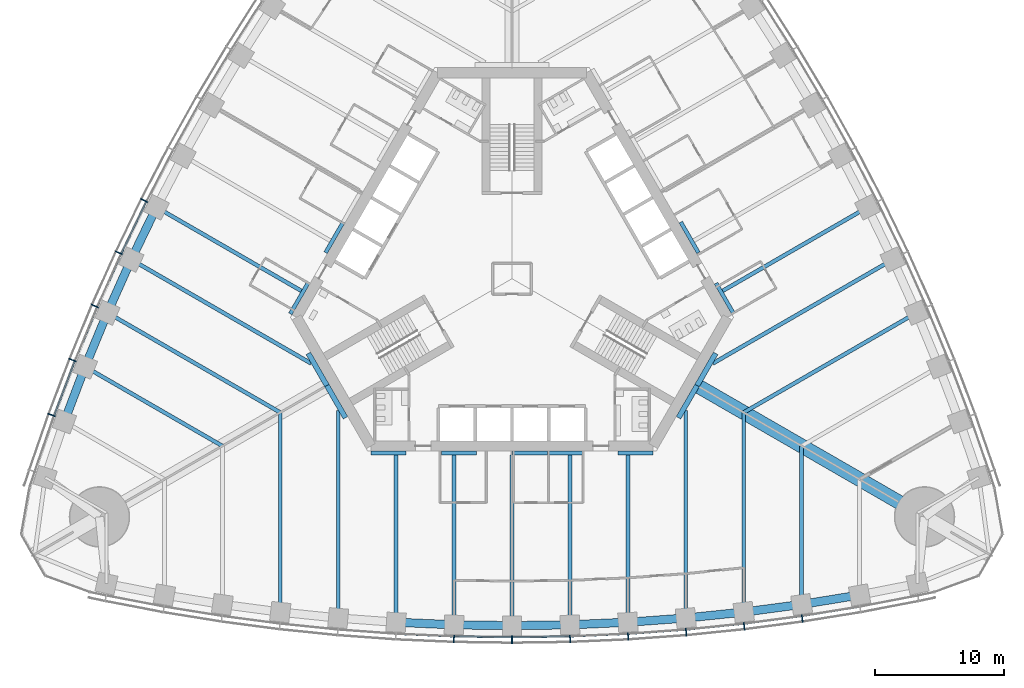
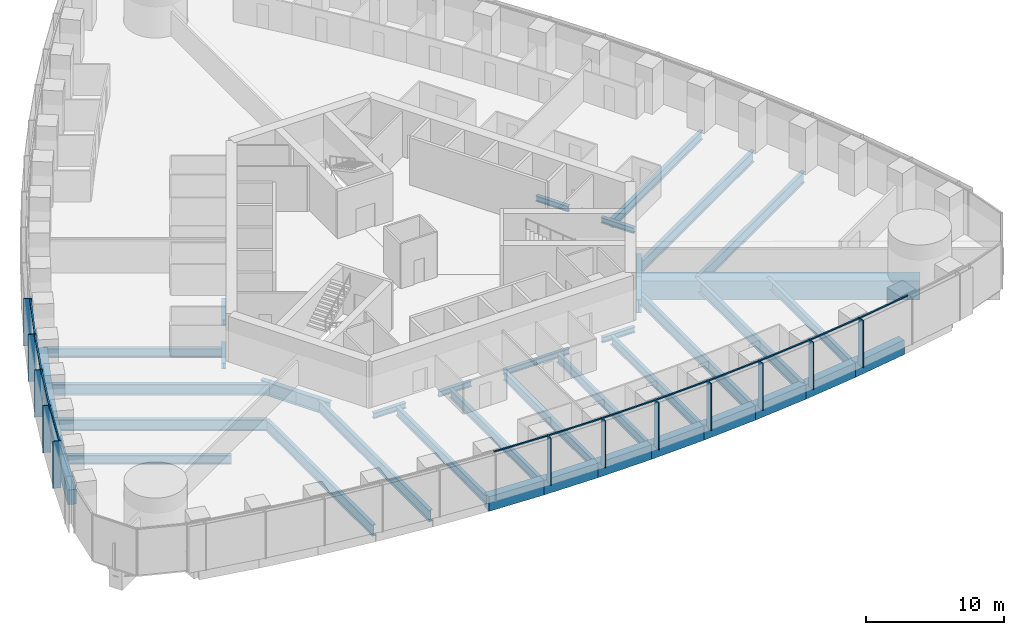
# One storey, part 3 of 18: 43 beams, 24 members, 2 elements without a shape of their own.
"""IFC4 building model written with IfcOpenShell, lengths in metres."""

from ifc_helpers import new_model, si_unit, direction, frame, origin, origin_2d, place, context, subcontext, project, spatial, rectangle, i_section, extrude, material, material_profile, profile_set, type_object, element, aggregate, save


model = new_model("IFC4")

# Units and contexts
model_context = context("Model", 3, precision=1e-05, world=origin(), true_north=direction((0.0, 1.0)))
body_context = subcontext(model_context, "Body", "Model", "MODEL_VIEW")
ifc_project = project(units=[si_unit("LENGTHUNIT", "METRE"), si_unit("AREAUNIT", "SQUARE_METRE"), si_unit("VOLUMEUNIT", "CUBIC_METRE"), si_unit("PLANEANGLEUNIT", "RADIAN"), si_unit("MASSUNIT", "GRAM", prefix="KILO")], contexts=[model_context])

# Site, building, storey
site_placement = place(None, origin())
site = spatial("IfcSite", under=ifc_project, at=site_placement, CompositionType="ELEMENT")
building_placement = place(site_placement, origin())
building = spatial("IfcBuilding", under=site, at=building_placement, Name="Trefoil Bronze Tower", CompositionType="ELEMENT")
storey_placement = place(building_placement, frame((0.0, 0.0, 37.5)))
storey = spatial("IfcBuildingStorey", under=building, at=storey_placement, Name="L08", CompositionType="ELEMENT", Elevation=37.5)

# Curtain wall, members
ifc_material_1 = material(Name="Tinted solar-control glass", Category="glass")
curtain_wall_type = type_object("IfcCurtainWallType", Name="Bronze office curtain wall", PredefinedType="USERDEFINED", material=ifc_material_1)
curtain_wall_1_placement = place(storey_placement, origin())
curtain_wall_1 = element("IfcCurtainWall", 1, at=curtain_wall_1_placement, inside=storey, type_object=curtain_wall_type, Name="CW-A L08 F1", ObjectType="CURTAIN WALL", PredefinedType="USERDEFINED")
ifc_material_2 = material(Name="Bronze-finish aluminium", Category="aluminium")
ifc_material_profile_1 = material_profile(ifc_material_2, rectangle(XDim=0.60009765625, YDim=0.080078125, at=origin_2d()), Name="CW-A mullion")
ifc_profile_set_1 = profile_set([ifc_material_profile_1], Name="Bronze-finish aluminium")
member_type_1 = type_object("IfcMemberType", Name="Bronze office curtain wall mullion", PredefinedType="MULLION", material=ifc_profile_set_1)
member_1_placement = place(storey_placement, frame((-4.5087890625, -27.9833984375, 0.0), z_axis=(0.0, 0.0, 1.0), x_axis=(0.029021671584, 0.999578782577, 0.0)))
member_1 = element("IfcMember", 2, at=member_1_placement, type_object=member_type_1, Name="CW-A L08 F1 mullion 8", PredefinedType="MULLION", context=body_context, shape_type="SweptSolid", body=[
    extrude(rectangle(XDim=0.60009765625, YDim=0.080078125, at=origin_2d()), origin(), (0.0, 0.0, 1.0), 4.179931640625),
])
member_2_placement = place(storey_placement, frame((0.0, -28.048828125, 0.0), z_axis=(0.0, 0.0, 1.0), x_axis=(0.0, 1.0, 0.0)))
member_2 = element("IfcMember", 3, at=member_2_placement, type_object=member_type_1, Name="CW-A L08 F1 mullion 9", PredefinedType="MULLION", context=body_context, shape_type="SweptSolid", body=[
    extrude(rectangle(XDim=0.60009765625, YDim=0.080078125, at=origin_2d()), origin(), (0.0, 0.0, 1.0), 4.179931640625),
])
member_3_placement = place(storey_placement, frame((4.5087890625, -27.9833984375, 0.0), z_axis=(0.0, 0.0, 1.0), x_axis=(-0.029021671584, 0.999578782577, 0.0)))
member_3 = element("IfcMember", 4, at=member_3_placement, type_object=member_type_1, Name="CW-A L08 F1 mullion 10", PredefinedType="MULLION", context=body_context, shape_type="SweptSolid", body=[
    extrude(rectangle(XDim=0.60009765625, YDim=0.080078125, at=origin_2d()), origin(), (0.0, 0.0, 1.0), 4.179931640625),
])
member_4_placement = place(storey_placement, frame((9.017333984375, -27.786865234375, 0.0), z_axis=(0.0, 0.0, 1.0), x_axis=(-0.058043374207, 0.998314062162, 0.0)))
member_4 = element("IfcMember", 5, at=member_4_placement, type_object=member_type_1, Name="CW-A L08 F1 mullion 11", PredefinedType="MULLION", context=body_context, shape_type="SweptSolid", body=[
    extrude(rectangle(XDim=0.60009765625, YDim=0.080078125, at=origin_2d()), origin(), (0.0, 0.0, 1.0), 4.179931640625),
])
member_5_placement = place(storey_placement, frame((13.526123046875, -27.458984375, 0.0), z_axis=(0.0, 0.0, 1.0), x_axis=(-0.087065139456, 0.996202620701, 0.0)))
member_5 = element("IfcMember", 6, at=member_5_placement, type_object=member_type_1, Name="CW-A L08 F1 mullion 12", PredefinedType="MULLION", context=body_context, shape_type="SweptSolid", body=[
    extrude(rectangle(XDim=0.60009765625, YDim=0.080078125, at=origin_2d()), origin(), (0.0, 0.0, 1.0), 4.179931640625),
])
member_6_placement = place(storey_placement, frame((18.034912109375, -26.99853515625, 0.0), z_axis=(0.0, 0.0, 1.0), x_axis=(-0.116086999973, 0.993239048989, 0.0)))
member_6 = element("IfcMember", 7, at=member_6_placement, type_object=member_type_1, Name="CW-A L08 F1 mullion 13", PredefinedType="MULLION", context=body_context, shape_type="SweptSolid", body=[
    extrude(rectangle(XDim=0.60009765625, YDim=0.080078125, at=origin_2d()), origin(), (0.0, 0.0, 1.0), 4.179931640625),
])
member_7_placement = place(storey_placement, frame((22.54345703125, -26.40478515625, 0.0), z_axis=(0.0, 0.0, 1.0), x_axis=(-0.145108990094, 0.989415676546, 0.0)))
member_7 = element("IfcMember", 8, at=member_7_placement, type_object=member_type_1, Name="CW-A L08 F1 mullion 14", PredefinedType="MULLION", context=body_context, shape_type="SweptSolid", body=[
    extrude(rectangle(XDim=0.60009765625, YDim=0.080078125, at=origin_2d()), origin(), (0.0, 0.0, 1.0), 4.179931640625),
])

curtain_wall_2_placement = place(storey_placement, origin())
curtain_wall_2 = element("IfcCurtainWall", 9, at=curtain_wall_2_placement, inside=storey, type_object=curtain_wall_type, Name="CW-A L08 F3", ObjectType="CURTAIN WALL", PredefinedType="USERDEFINED")
member_8_placement = place(storey_placement, frame((-28.57275390625, 6.084228515625, 0.0), z_axis=(0.0, 0.0, 1.0), x_axis=(0.893587025891, -0.448889994497, 0.0)))
member_8 = element("IfcMember", 10, at=member_8_placement, type_object=member_type_1, Name="CW-A L08 F3 mullion 11", PredefinedType="MULLION", context=body_context, shape_type="SweptSolid", body=[
    extrude(rectangle(XDim=0.60009765625, YDim=0.080078125, at=origin_2d()), origin(), (0.0, 0.0, 1.0), 4.179931640625),
])
member_9_placement = place(storey_placement, frame((-30.543212890625, 2.015380859375, 0.0), z_axis=(0.0, 0.0, 1.0), x_axis=(0.906269346572, -0.422700687798, 0.0)))
member_9 = element("IfcMember", 11, at=member_9_placement, type_object=member_type_1, Name="CW-A L08 F3 mullion 12", PredefinedType="MULLION", context=body_context, shape_type="SweptSolid", body=[
    extrude(rectangle(XDim=0.60009765625, YDim=0.080078125, at=origin_2d()), origin(), (0.0, 0.0, 1.0), 4.179931640625),
])
member_10_placement = place(storey_placement, frame((-32.39892578125, -2.119384765625, 0.0), z_axis=(0.0, 0.0, 1.0), x_axis=(0.918213748442, -0.396085233469, 0.0)))
member_10 = element("IfcMember", 12, at=member_10_placement, type_object=member_type_1, Name="CW-A L08 F3 mullion 13", PredefinedType="MULLION", context=body_context, shape_type="SweptSolid", body=[
    extrude(rectangle(XDim=0.60009765625, YDim=0.080078125, at=origin_2d()), origin(), (0.0, 0.0, 1.0), 4.179931640625),
])
member_11_placement = place(storey_placement, frame((-34.138916015625, -6.32080078125, 0.0), z_axis=(0.0, 0.0, 1.0), x_axis=(0.929413605838, -0.369039766534, 0.0)))
member_11 = element("IfcMember", 13, at=member_11_placement, type_object=member_type_1, Name="CW-A L08 F3 mullion 14", PredefinedType="MULLION", context=body_context, shape_type="SweptSolid", body=[
    extrude(rectangle(XDim=0.60009765625, YDim=0.080078125, at=origin_2d()), origin(), (0.0, 0.0, 1.0), 4.179931640625),
])
member_12_placement = place(storey_placement, frame((-35.761962890625, -10.590087890625, 0.0), z_axis=(0.0, 0.0, 1.0), x_axis=(0.939860248316, -0.341559238839, 0.0)))
member_12 = element("IfcMember", 14, at=member_12_placement, type_object=member_type_1, Name="CW-A L08 F3 mullion 15", PredefinedType="MULLION", context=body_context, shape_type="SweptSolid", body=[
    extrude(rectangle(XDim=0.60009765625, YDim=0.080078125, at=origin_2d()), origin(), (0.0, 0.0, 1.0), 4.179931640625),
])

# Member
ifc_material_3 = material(Name="Bronze-finish aluminium", Category="aluminium")
ifc_material_profile_2 = material_profile(ifc_material_3, rectangle(XDim=0.1201171875, YDim=0.10009765625, at=origin_2d()), Name="CW-A transom")
ifc_profile_set_2 = profile_set([ifc_material_profile_2], Name="Bronze-finish aluminium")
member_type_2 = type_object("IfcMemberType", Name="Bronze office curtain wall transom", PredefinedType="USERDEFINED", material=ifc_profile_set_2)
member_13_placement = place(storey_placement, frame((-8.96435546875, -27.589111328125, 4.1298828125), z_axis=(0.999054074786, -0.043485119914, 0.0), x_axis=(0.043485119914, 0.999054074786, 0.0)))
member_13 = element("IfcMember", 15, at=member_13_placement, type_object=member_type_2, Name="CW-A L08 F1 transom 7", ObjectType="TRANSOM", PredefinedType="USERDEFINED", context=body_context, shape_type="SweptSolid", body=[
    extrude(rectangle(XDim=0.1201171875, YDim=0.10009765625, at=origin_2d()), origin(), (0.0, 0.0, 1.0), 4.424072265625),
])

member_14_placement = place(storey_placement, frame((-4.46142578125, -27.783935546875, 4.1298828125), z_axis=(0.999894497273, -0.014525643658, 0.0), x_axis=(0.014525643658, 0.999894497273, 0.0)))
member_14 = element("IfcMember", 16, at=member_14_placement, type_object=member_type_2, Name="CW-A L08 F1 transom 8", ObjectType="TRANSOM", PredefinedType="USERDEFINED", context=body_context, shape_type="SweptSolid", body=[
    extrude(rectangle(XDim=0.1201171875, YDim=0.10009765625, at=origin_2d()), origin(), (0.0, 0.0, 1.0), 4.42041015625),
])

member_15_placement = place(storey_placement, frame((0.04150390625, -27.84814453125, 4.1298828125), z_axis=(0.999894497273, 0.014525643658, 0.0), x_axis=(-0.014525643658, 0.999894497273, 0.0)))
member_15 = element("IfcMember", 17, at=member_15_placement, type_object=member_type_2, Name="CW-A L08 F1 transom 9", ObjectType="TRANSOM", PredefinedType="USERDEFINED", context=body_context, shape_type="SweptSolid", body=[
    extrude(rectangle(XDim=0.1201171875, YDim=0.10009765625, at=origin_2d()), origin(), (0.0, 0.0, 1.0), 4.42041015625),
])

member_16_placement = place(storey_placement, frame((4.54443359375, -27.781494140625, 4.1298828125), z_axis=(0.999054074786, 0.043485119914, 0.0), x_axis=(-0.043485119914, 0.999054074786, 0.0)))
member_16 = element("IfcMember", 18, at=member_16_placement, type_object=member_type_2, Name="CW-A L08 F1 transom 10", ObjectType="TRANSOM", PredefinedType="USERDEFINED", context=body_context, shape_type="SweptSolid", body=[
    extrude(rectangle(XDim=0.1201171875, YDim=0.10009765625, at=origin_2d()), origin(), (0.0, 0.0, 1.0), 4.424072265625),
])

member_17_placement = place(storey_placement, frame((9.047119140625, -27.584228515625, 4.1298828125), z_axis=(0.997364729945, 0.07255064067, 0.0), x_axis=(-0.07255064067, 0.997364729945, 0.0)))
member_17 = element("IfcMember", 19, at=member_17_placement, type_object=member_type_2, Name="CW-A L08 F1 transom 11", ObjectType="TRANSOM", PredefinedType="USERDEFINED", context=body_context, shape_type="SweptSolid", body=[
    extrude(rectangle(XDim=0.1201171875, YDim=0.10009765625, at=origin_2d()), origin(), (0.0, 0.0, 1.0), 4.431884765625),
])

member_18_placement = place(storey_placement, frame((13.550048828125, -27.25537109375, 4.1298828125), z_axis=(0.994831650915, 0.101538102888, 0.0), x_axis=(-0.101538102888, 0.994831650915, 0.0)))
member_18 = element("IfcMember", 20, at=member_18_placement, type_object=member_type_2, Name="CW-A L08 F1 transom 12", ObjectType="TRANSOM", PredefinedType="USERDEFINED", context=body_context, shape_type="SweptSolid", body=[
    extrude(rectangle(XDim=0.1201171875, YDim=0.10009765625, at=origin_2d()), origin(), (0.0, 0.0, 1.0), 4.443359375),
])

member_19_placement = place(storey_placement, frame((18.052734375, -26.79443359375, 4.1298828125), z_axis=(0.991436581643, 0.13058906761, 0.0), x_axis=(-0.13058906761, 0.991436581643, 0.0)))
member_19 = element("IfcMember", 21, at=member_19_placement, type_object=member_type_2, Name="CW-A L08 F1 transom 13", ObjectType="TRANSOM", PredefinedType="USERDEFINED", context=body_context, shape_type="SweptSolid", body=[
    extrude(rectangle(XDim=0.1201171875, YDim=0.10009765625, at=origin_2d()), origin(), (0.0, 0.0, 1.0), 4.458740234375),
])

member_20_placement = place(storey_placement, frame((22.555419921875, -26.2001953125, 4.1298828125), z_axis=(0.987179401487, 0.159614627398, 0.0), x_axis=(-0.159614627398, 0.987179401487, 0.0)))
member_20 = element("IfcMember", 22, at=member_20_placement, type_object=member_type_2, Name="CW-A L08 F1 transom 14", ObjectType="TRANSOM", PredefinedType="USERDEFINED", context=body_context, shape_type="SweptSolid", body=[
    extrude(rectangle(XDim=0.1201171875, YDim=0.10009765625, at=origin_2d()), origin(), (0.0, 0.0, 1.0), 4.478515625),
])

aggregate(curtain_wall_1, [member_1, member_2, member_3, member_4, member_5, member_6, member_7, member_13, member_14, member_15, member_16, member_17, member_18, member_19, member_20])

member_21_placement = place(storey_placement, frame((-28.412109375, 5.95703125, 4.1298828125), z_axis=(-0.435851763293, -0.900018466719, 0.0), x_axis=(0.900018466719, -0.435851763293, 0.0)))
member_21 = element("IfcMember", 23, at=member_21_placement, type_object=member_type_2, Name="CW-A L08 F3 transom 11", ObjectType="TRANSOM", PredefinedType="USERDEFINED", context=body_context, shape_type="SweptSolid", body=[
    extrude(rectangle(XDim=0.1201171875, YDim=0.10009765625, at=origin_2d()), origin(), (0.0, 0.0, 1.0), 4.431884765625),
])

member_22_placement = place(storey_placement, frame((-30.37890625, 1.89306640625, 4.1298828125), z_axis=(-0.409459746452, -0.912328184392, 0.0), x_axis=(0.912328184392, -0.409459746452, 0.0)))
member_22 = element("IfcMember", 24, at=member_22_placement, type_object=member_type_2, Name="CW-A L08 F3 transom 12", ObjectType="TRANSOM", PredefinedType="USERDEFINED", context=body_context, shape_type="SweptSolid", body=[
    extrude(rectangle(XDim=0.1201171875, YDim=0.10009765625, at=origin_2d()), origin(), (0.0, 0.0, 1.0), 4.443359375),
])

member_23_placement = place(storey_placement, frame((-32.231201171875, -2.23681640625, 4.1298828125), z_axis=(-0.382616149417, -0.923907399151, 0.0), x_axis=(0.923907399151, -0.382616149417, 0.0)))
member_23 = element("IfcMember", 25, at=member_23_placement, type_object=member_type_2, Name="CW-A L08 F3 transom 13", ObjectType="TRANSOM", PredefinedType="USERDEFINED", context=body_context, shape_type="SweptSolid", body=[
    extrude(rectangle(XDim=0.1201171875, YDim=0.10009765625, at=origin_2d()), origin(), (0.0, 0.0, 1.0), 4.458984375),
])

member_24_placement = place(storey_placement, frame((-33.9677734375, -6.433349609375, 4.1298828125), z_axis=(-0.355367327392, -0.934726731522, 0.0), x_axis=(0.934726731522, -0.355367327392, 0.0)))
member_24 = element("IfcMember", 26, at=member_24_placement, type_object=member_type_2, Name="CW-A L08 F3 transom 14", ObjectType="TRANSOM", PredefinedType="USERDEFINED", context=body_context, shape_type="SweptSolid", body=[
    extrude(rectangle(XDim=0.1201171875, YDim=0.10009765625, at=origin_2d()), origin(), (0.0, 0.0, 1.0), 4.478515625),
])

aggregate(curtain_wall_2, [member_8, member_9, member_10, member_11, member_12, member_21, member_22, member_23, member_24])

# Beams
ifc_material_4 = material(Name="Steel C355", Category="steel")
ifc_material_profile_3 = material_profile(ifc_material_4, i_section(OverallWidth=0.300048828125, OverallDepth=0.5, WebThickness=0.014404296875, FlangeThickness=0.028076171875, FilletRadius=0.027099609375, at=origin_2d()), Name="HEB 500")
ifc_profile_set_3 = profile_set([ifc_material_profile_3], Name="Steel C355")
beam_type_1 = type_object("IfcBeamType", Name="Core seat beam HEB 500", PredefinedType="BEAM", material=ifc_profile_set_3)
for number, where, z_axis, x_axis, name in (
    (27, (-10.9697265625, -13.550048828125, -0.449951171875), (1.0, 0.0, 0.0), (0.0, 1.0, 0.0), "Core seat beam F1/-2 L08"),
    (28, (-5.48486328125, -13.550048828125, -0.449951171875), (1.0, 0.0, 0.0), (0.0, 1.0, 0.0), "Core seat beam F1/-1 L08"),
    (29, (0.0, -13.550048828125, -0.449951171875), (1.0, 0.0, 0.0), (0.0, 1.0, 0.0), "Core seat beam F1/+0 L08"),
    (30, (2.742431640625, -13.550048828125, -0.449951171875), (1.0, 0.0, 0.0), (0.0, 1.0, 0.0), "Core seat beam F1/+1 L08"),
    (31, (8.227294921875, -13.550048828125, -0.449951171875), (1.0, 0.0, 0.0), (0.0, 1.0, 0.0), "Core seat beam F1/+2 L08"),
    (32, (17.219482421875, -2.72509765625, -0.449951171875), (-0.500035825175, 0.866004719122, 0.0), (-0.866004719122, -0.500035825175, 0.0), "Core seat beam F2/-2 L08"),
    (33, (14.47705078125, 2.02490234375, -0.449951171875), (-0.499969057507, 0.866043267704, 0.0), (-0.866043267704, -0.499969057507, 0.0), "Core seat beam F2/-1 L08"),
    (34, (-13.10595703125, 4.39990234375, -0.449951171875), (-0.499969057507, -0.866043267704, 0.0), (0.866043267704, -0.499969057507, 0.0), "Core seat beam F3/+1 L08"),
    (35, (-15.84814453125, -0.35009765625, -0.449951171875), (-0.500035825175, -0.866004719122, 0.0), (0.866004719122, -0.500035825175, 0.0), "Core seat beam F3/+2 L08"),
):
    element("IfcBeam", number, at=place(storey_placement, frame(where, z_axis=z_axis, x_axis=x_axis)), inside=storey, type_object=beam_type_1, Name=name, PredefinedType="BEAM", context=body_context, shape_type="SweptSolid", body=[
        extrude(i_section(OverallWidth=0.300048828125, OverallDepth=0.5, WebThickness=0.014404296875, FlangeThickness=0.028076171875, FilletRadius=0.027099609375, at=origin_2d()), origin(), (0.0, 0.0, 1.0), 2.742431640625),
    ])
ifc_material_5 = material(Name="Steel C355", Category="steel")
ifc_material_profile_4 = material_profile(ifc_material_5, i_section(OverallWidth=0.39990234375, OverallDepth=1.199951171875, WebThickness=0.02001953125, FlangeThickness=0.0400390625, FilletRadius=0.010009765625, at=origin_2d()), Name="WPG 1200")
ifc_profile_set_4 = profile_set([ifc_material_profile_4], Name="Steel C355")
beam_type_2 = type_object("IfcBeamType", Name="Core seat beam WPG 1200", PredefinedType="BEAM", material=ifc_profile_set_4)
for number, where, z_axis, x_axis, name in (
    (36, (-14.3759765625, -8.300048828125, -0.800048828125), (0.499995765644, -0.866027848477, 0.0), (0.866027848477, 0.499995765644, 0.0), "Core seat beam F1/-3 L08"),
    (37, (12.9326171875, -10.800048828125, -0.800048828125), (0.499995765644, 0.866027848477, 0.0), (-0.866027848477, 0.499995765644, 0.0), "Core seat beam F1/+3 L08"),
    (38, (14.3759765625, -8.300048828125, -0.800048828125), (0.499995765644, 0.866027848477, 0.0), (-0.866027848477, 0.499995765644, 0.0), "Core seat beam F2/-3 L08"),
    (39, (-15.8193359375, -5.800048828125, -0.800048828125), (0.499995765644, -0.866027848477, 0.0), (0.866027848477, 0.499995765644, 0.0), "Core seat beam F3/+3 L08"),
):
    element("IfcBeam", number, at=place(storey_placement, frame(where, z_axis=z_axis, x_axis=x_axis)), inside=storey, type_object=beam_type_2, Name=name, PredefinedType="BEAM", context=body_context, shape_type="SweptSolid", body=[
        extrude(i_section(OverallWidth=0.39990234375, OverallDepth=1.199951171875, WebThickness=0.02001953125, FlangeThickness=0.0400390625, FilletRadius=0.010009765625, at=origin_2d()), origin(), (0.0, 0.0, 1.0), 2.88671875),
    ])
ifc_material_6 = material(Name="Concrete B80", Category="concrete")
ifc_material_profile_5 = material_profile(ifc_material_6, rectangle(XDim=1.10009765625, YDim=1.699951171875, at=origin_2d()), Name="RC 1100x1700")
ifc_profile_set_5 = profile_set([ifc_material_profile_5], Name="Concrete B80")
beam_type_3 = type_object("IfcBeamType", Name="Corner girder RC 1100x1700", PredefinedType="BEAM", material=ifc_profile_set_5)
beam_1_placement = place(storey_placement, frame((14.202880859375, -8.199951171875, -1.050048828125), z_axis=(0.866023947468, -0.500002522405, 0.0), x_axis=(0.500002522405, 0.866023947468, 0.0)))
element("IfcBeam", 40, at=beam_1_placement, inside=storey, type_object=beam_type_3, Name="Corner girder K1 L08", PredefinedType="BEAM", context=body_context, shape_type="SweptSolid", body=[
    extrude(rectangle(XDim=1.10009765625, YDim=1.699951171875, at=origin_2d()), origin(), (0.0, 0.0, 1.0), 20.60009765625),
])
ifc_material_7 = material(Name="Steel C355", Category="steel")
ifc_material_profile_6 = material_profile(ifc_material_7, i_section(OverallWidth=0.300048828125, OverallDepth=1.0, WebThickness=0.01904296875, FlangeThickness=0.035888671875, FilletRadius=0.030029296875, at=origin_2d()), Name="HEB 1000")
ifc_profile_set_6 = profile_set([ifc_material_profile_6], Name="Steel C355")
beam_type_4 = type_object("IfcBeamType", Name="Floor beam HEB 1000", PredefinedType="BEAM", material=ifc_profile_set_6)
for number, where, z_axis, x_axis, name in (
    (41, (-18.0, -25.895263671875, -0.699951171875), (0.0, 1.0, 0.0), (-1.0, 0.0, 0.0), "Floor beam F1/-4 L08"),
    (42, (18.0, -25.895263671875, -0.699951171875), (0.0, 1.0, 0.0), (-1.0, 0.0, 0.0), "Floor beam F1/+4 L08"),
):
    element("IfcBeam", number, at=place(storey_placement, frame(where, z_axis=z_axis, x_axis=x_axis)), inside=storey, type_object=beam_type_4, Name=name, PredefinedType="BEAM", context=body_context, shape_type="SweptSolid", body=[
        extrude(i_section(OverallWidth=0.300048828125, OverallDepth=1.0, WebThickness=0.01904296875, FlangeThickness=0.035888671875, FilletRadius=0.030029296875, at=origin_2d()), origin(), (0.0, 0.0, 1.0), 15.5029296875),
    ])
for number, where, z_axis, x_axis, name in (
    (43, (31.42578125, -2.640869140625, -0.699951171875), (-0.866022989816, -0.500004181093, 0.0), (0.500004181093, -0.866022989816, 0.0), "Floor beam F2/-4 L08"),
    (44, (-31.42578125, -2.640869140625, -0.699951171875), (0.866022989816, -0.500004181093, 0.0), (0.500004181093, 0.866022989816, 0.0), "Floor beam F3/+4 L08"),
):
    element("IfcBeam", number, at=place(storey_placement, frame(where, z_axis=z_axis, x_axis=x_axis)), inside=storey, type_object=beam_type_4, Name=name, PredefinedType="BEAM", context=body_context, shape_type="SweptSolid", body=[
        extrude(i_section(OverallWidth=0.300048828125, OverallDepth=1.0, WebThickness=0.01904296875, FlangeThickness=0.035888671875, FilletRadius=0.030029296875, at=origin_2d()), origin(), (0.0, 0.0, 1.0), 15.502685546875),
    ])
ifc_material_8 = material(Name="Steel C355", Category="steel")
ifc_material_profile_7 = material_profile(ifc_material_8, i_section(OverallWidth=0.300048828125, OverallDepth=0.800048828125, WebThickness=0.017578125, FlangeThickness=0.032958984375, FilletRadius=0.030029296875, at=origin_2d()), Name="HEB 800")
ifc_profile_set_7 = profile_set([ifc_material_profile_7], Name="Steel C355")
beam_type_5 = type_object("IfcBeamType", Name="Floor beam HEB 800", PredefinedType="BEAM", material=ifc_profile_set_7)
beam_2_placement = place(storey_placement, frame((-9.0, -26.68603515625, -0.60009765625), z_axis=(0.0, 1.0, 0.0), x_axis=(-1.0, 0.0, 0.0)))
element("IfcBeam", 45, at=beam_2_placement, inside=storey, type_object=beam_type_5, Name="Floor beam F1/-2 L08", PredefinedType="BEAM", context=body_context, shape_type="SweptSolid", body=[
    extrude(i_section(OverallWidth=0.300048828125, OverallDepth=0.800048828125, WebThickness=0.017578125, FlangeThickness=0.032958984375, FilletRadius=0.030029296875, at=origin_2d()), origin(), (0.0, 0.0, 1.0), 12.986083984375),
])
beam_3_placement = place(storey_placement, frame((-4.5, -26.883056640625, -0.60009765625), z_axis=(0.0, 1.0, 0.0), x_axis=(-1.0, 0.0, 0.0)))
element("IfcBeam", 46, at=beam_3_placement, inside=storey, type_object=beam_type_5, Name="Floor beam F1/-1 L08", PredefinedType="BEAM", context=body_context, shape_type="SweptSolid", body=[
    extrude(i_section(OverallWidth=0.300048828125, OverallDepth=0.800048828125, WebThickness=0.017578125, FlangeThickness=0.032958984375, FilletRadius=0.030029296875, at=origin_2d()), origin(), (0.0, 0.0, 1.0), 13.18310546875),
])
beam_4_placement = place(storey_placement, frame((0.0, -26.94873046875, -0.60009765625), z_axis=(0.0, 1.0, 0.0), x_axis=(-1.0, 0.0, 0.0)))
element("IfcBeam", 47, at=beam_4_placement, inside=storey, type_object=beam_type_5, Name="Floor beam F1/+0 L08", PredefinedType="BEAM", context=body_context, shape_type="SweptSolid", body=[
    extrude(i_section(OverallWidth=0.300048828125, OverallDepth=0.800048828125, WebThickness=0.017578125, FlangeThickness=0.032958984375, FilletRadius=0.030029296875, at=origin_2d()), origin(), (0.0, 0.0, 1.0), 13.248779296875),
])
beam_5_placement = place(storey_placement, frame((4.5, -26.883056640625, -0.60009765625), z_axis=(0.0, 1.0, 0.0), x_axis=(-1.0, 0.0, 0.0)))
element("IfcBeam", 48, at=beam_5_placement, inside=storey, type_object=beam_type_5, Name="Floor beam F1/+1 L08", PredefinedType="BEAM", context=body_context, shape_type="SweptSolid", body=[
    extrude(i_section(OverallWidth=0.300048828125, OverallDepth=0.800048828125, WebThickness=0.017578125, FlangeThickness=0.032958984375, FilletRadius=0.030029296875, at=origin_2d()), origin(), (0.0, 0.0, 1.0), 13.18310546875),
])
beam_6_placement = place(storey_placement, frame((9.0, -26.68603515625, -0.60009765625), z_axis=(0.0, 1.0, 0.0), x_axis=(-1.0, 0.0, 0.0)))
element("IfcBeam", 49, at=beam_6_placement, inside=storey, type_object=beam_type_5, Name="Floor beam F1/+2 L08", PredefinedType="BEAM", context=body_context, shape_type="SweptSolid", body=[
    extrude(i_section(OverallWidth=0.300048828125, OverallDepth=0.800048828125, WebThickness=0.017578125, FlangeThickness=0.032958984375, FilletRadius=0.030029296875, at=origin_2d()), origin(), (0.0, 0.0, 1.0), 12.986083984375),
])
beam_7_placement = place(storey_placement, frame((22.5, -25.29931640625, -0.60009765625), z_axis=(0.0, 1.0, 0.0), x_axis=(-1.0, 0.0, 0.0)))
element("IfcBeam", 50, at=beam_7_placement, inside=storey, type_object=beam_type_5, Name="Floor beam F1/+5 L08", PredefinedType="BEAM", context=body_context, shape_type="SweptSolid", body=[
    extrude(i_section(OverallWidth=0.300048828125, OverallDepth=0.800048828125, WebThickness=0.017578125, FlangeThickness=0.032958984375, FilletRadius=0.030029296875, at=origin_2d()), origin(), (0.0, 0.0, 1.0), 12.308837890625),
])
for number, where, z_axis, x_axis, name in (
    (51, (27.61083984375, 5.548828125, -0.60009765625), (-0.866022474361, -0.500005073876, 0.0), (0.500005073876, -0.866022474361, 0.0), "Floor beam F2/-2 L08"),
    (52, (-27.61083984375, 5.548828125, -0.60009765625), (0.866022474361, -0.500005073876, 0.0), (0.500005073876, 0.866022474361, 0.0), "Floor beam F3/+2 L08"),
):
    element("IfcBeam", number, at=place(storey_placement, frame(where, z_axis=z_axis, x_axis=x_axis)), inside=storey, type_object=beam_type_5, Name=name, PredefinedType="BEAM", context=body_context, shape_type="SweptSolid", body=[
        extrude(i_section(OverallWidth=0.300048828125, OverallDepth=0.800048828125, WebThickness=0.017578125, FlangeThickness=0.032958984375, FilletRadius=0.030029296875, at=origin_2d()), origin(), (0.0, 0.0, 1.0), 12.986083984375),
    ])
beam_8_placement = place(storey_placement, frame((-33.159912109375, -6.8359375, -0.60009765625), z_axis=(0.866024070878, -0.500002308654, 0.0), x_axis=(0.500002308654, 0.866024070878, 0.0)))
element("IfcBeam", 53, at=beam_8_placement, inside=storey, type_object=beam_type_5, Name="Floor beam F3/+5 L08", PredefinedType="BEAM", context=body_context, shape_type="SweptSolid", body=[
    extrude(i_section(OverallWidth=0.300048828125, OverallDepth=0.800048828125, WebThickness=0.017578125, FlangeThickness=0.032958984375, FilletRadius=0.030029296875, at=origin_2d()), origin(), (0.0, 0.0, 1.0), 12.30908203125),
])
ifc_material_9 = material(Name="Steel C355", Category="steel")
ifc_material_profile_8 = material_profile(ifc_material_9, i_section(OverallWidth=0.302001953125, OverallDepth=1.008056640625, WebThickness=0.02099609375, FlangeThickness=0.0400390625, FilletRadius=0.030029296875, at=origin_2d()), Name="HEM 1000")
ifc_profile_set_8 = profile_set([ifc_material_profile_8], Name="Steel C355")
beam_type_6 = type_object("IfcBeamType", Name="Floor beam HEM 1000", PredefinedType="BEAM", material=ifc_profile_set_8)
for number, where, z_axis, x_axis, name in (
    (54, (-13.5, -26.35693359375, -0.7041015625), (0.0, 1.0, 0.0), (-1.0, 0.0, 0.0), "Floor beam F1/-3 L08"),
    (55, (13.5, -26.35693359375, -0.7041015625), (0.0, 1.0, 0.0), (-1.0, 0.0, 0.0), "Floor beam F1/+3 L08"),
):
    element("IfcBeam", number, at=place(storey_placement, frame(where, z_axis=z_axis, x_axis=x_axis)), inside=storey, type_object=beam_type_6, Name=name, PredefinedType="BEAM", context=body_context, shape_type="SweptSolid", body=[
        extrude(i_section(OverallWidth=0.302001953125, OverallDepth=1.008056640625, WebThickness=0.02099609375, FlangeThickness=0.0400390625, FilletRadius=0.030029296875, at=origin_2d()), origin(), (0.0, 0.0, 1.0), 16.1396484375),
    ])
for number, where, z_axis, x_axis, name in (
    (56, (29.575927734375, 1.487060546875, -0.7041015625), (-0.866028401131, -0.499994808408, 0.0), (0.499994808408, -0.866028401131, 0.0), "Floor beam F2/-3 L08"),
    (57, (-29.575927734375, 1.487060546875, -0.7041015625), (0.866028401131, -0.499994808408, 0.0), (0.499994808408, 0.866028401131, 0.0), "Floor beam F3/+3 L08"),
):
    element("IfcBeam", number, at=place(storey_placement, frame(where, z_axis=z_axis, x_axis=x_axis)), inside=storey, type_object=beam_type_6, Name=name, PredefinedType="BEAM", context=body_context, shape_type="SweptSolid", body=[
        extrude(i_section(OverallWidth=0.302001953125, OverallDepth=1.008056640625, WebThickness=0.02099609375, FlangeThickness=0.0400390625, FilletRadius=0.030029296875, at=origin_2d()), origin(), (0.0, 0.0, 1.0), 16.139892578125),
    ])
ifc_material_10 = material(Name="Concrete B80", Category="concrete")
ifc_material_profile_9 = material_profile(ifc_material_10, rectangle(XDim=0.64990234375, YDim=1.300048828125, at=origin_2d()), Name="RC 650x1300")
ifc_profile_set_9 = profile_set([ifc_material_profile_9], Name="Concrete B80")
beam_type_7 = type_object("IfcBeamType", Name="Spandrel beam RC 650x1300", PredefinedType="SPANDREL", material=ifc_profile_set_9)
beam_9_placement = place(storey_placement, frame((-9.0, -26.68603515625, -0.85009765625), z_axis=(0.999042919826, -0.043740648671, 0.0), x_axis=(0.043740648671, 0.999042919826, 0.0)))
element("IfcBeam", 58, at=beam_9_placement, inside=storey, type_object=beam_type_7, Name="Spandrel F1.7 L08", PredefinedType="SPANDREL", context=body_context, shape_type="SweptSolid", body=[
    extrude(rectangle(XDim=0.64990234375, YDim=1.300048828125, at=origin_2d()), origin(), (0.0, 0.0, 1.0), 4.50439453125),
])
for number, where, z_axis, x_axis, name in (
    (59, (-4.5, -26.883056640625, -0.85009765625), (0.999893521905, -0.014592630067, 0.0), (0.014592630067, 0.999893521905, 0.0), "Spandrel F1.8 L08"),
    (60, (0.0, -26.94873046875, -0.85009765625), (0.999893521905, 0.014592630067, 0.0), (-0.014592630067, 0.999893521905, 0.0), "Spandrel F1.9 L08"),
):
    element("IfcBeam", number, at=place(storey_placement, frame(where, z_axis=z_axis, x_axis=x_axis)), inside=storey, type_object=beam_type_7, Name=name, PredefinedType="SPANDREL", context=body_context, shape_type="SweptSolid", body=[
        extrude(rectangle(XDim=0.64990234375, YDim=1.300048828125, at=origin_2d()), origin(), (0.0, 0.0, 1.0), 4.50048828125),
    ])
beam_10_placement = place(storey_placement, frame((4.5, -26.883056640625, -0.85009765625), z_axis=(0.999042919826, 0.043740648671, 0.0), x_axis=(-0.043740648671, 0.999042919826, 0.0)))
element("IfcBeam", 61, at=beam_10_placement, inside=storey, type_object=beam_type_7, Name="Spandrel F1.10 L08", PredefinedType="SPANDREL", context=body_context, shape_type="SweptSolid", body=[
    extrude(rectangle(XDim=0.64990234375, YDim=1.300048828125, at=origin_2d()), origin(), (0.0, 0.0, 1.0), 4.50439453125),
])
beam_11_placement = place(storey_placement, frame((9.0, -26.68603515625, -0.85009765625), z_axis=(0.997336412354, 0.072938882588, 0.0), x_axis=(-0.072938882588, 0.997336412354, 0.0)))
element("IfcBeam", 62, at=beam_11_placement, inside=storey, type_object=beam_type_7, Name="Spandrel F1.11 L08", PredefinedType="SPANDREL", context=body_context, shape_type="SweptSolid", body=[
    extrude(rectangle(XDim=0.64990234375, YDim=1.300048828125, at=origin_2d()), origin(), (0.0, 0.0, 1.0), 4.511962890625),
])
beam_12_placement = place(storey_placement, frame((13.5, -26.35693359375, -0.85009765625), z_axis=(0.994778488621, 0.102057623805, 0.0), x_axis=(-0.102057623805, 0.994778488621, 0.0)))
element("IfcBeam", 63, at=beam_12_placement, inside=storey, type_object=beam_type_7, Name="Spandrel F1.12 L08", PredefinedType="SPANDREL", context=body_context, shape_type="SweptSolid", body=[
    extrude(rectangle(XDim=0.64990234375, YDim=1.300048828125, at=origin_2d()), origin(), (0.0, 0.0, 1.0), 4.523681640625),
])
beam_13_placement = place(storey_placement, frame((18.0, -25.895263671875, -0.85009765625), z_axis=(0.991344474846, 0.131286450906, 0.0), x_axis=(-0.131286450906, 0.991344474846, 0.0)))
element("IfcBeam", 64, at=beam_13_placement, inside=storey, type_object=beam_type_7, Name="Spandrel F1.13 L08", PredefinedType="SPANDREL", context=body_context, shape_type="SweptSolid", body=[
    extrude(rectangle(XDim=0.64990234375, YDim=1.300048828125, at=origin_2d()), origin(), (0.0, 0.0, 1.0), 4.539306640625),
])
beam_14_placement = place(storey_placement, frame((22.5, -25.29931640625, -0.85009765625), z_axis=(0.987045951254, 0.160437807615, 0.0), x_axis=(-0.160437807615, 0.987045951254, 0.0)))
element("IfcBeam", 65, at=beam_14_placement, inside=storey, type_object=beam_type_7, Name="Spandrel F1.14 L08", PredefinedType="SPANDREL", context=body_context, shape_type="SweptSolid", body=[
    extrude(rectangle(XDim=0.64990234375, YDim=1.300048828125, at=origin_2d()), origin(), (0.0, 0.0, 1.0), 4.55908203125),
])
beam_15_placement = place(storey_placement, frame((-27.61083984375, 5.548828125, -0.85009765625), z_axis=(-0.435510013583, -0.900183885697, 0.0), x_axis=(0.900183885697, -0.435510013583, 0.0)))
element("IfcBeam", 66, at=beam_15_placement, inside=storey, type_object=beam_type_7, Name="Spandrel F3.11 L08", PredefinedType="SPANDREL", context=body_context, shape_type="SweptSolid", body=[
    extrude(rectangle(XDim=0.64990234375, YDim=1.300048828125, at=origin_2d()), origin(), (0.0, 0.0, 1.0), 4.51220703125),
])
beam_16_placement = place(storey_placement, frame((-29.575927734375, 1.487060546875, -0.85009765625), z_axis=(-0.408945873044, -0.912558640812, 0.0), x_axis=(0.912558640812, -0.408945873044, 0.0)))
element("IfcBeam", 67, at=beam_16_placement, inside=storey, type_object=beam_type_7, Name="Spandrel F3.12 L08", PredefinedType="SPANDREL", context=body_context, shape_type="SweptSolid", body=[
    extrude(rectangle(XDim=0.64990234375, YDim=1.300048828125, at=origin_2d()), origin(), (0.0, 0.0, 1.0), 4.5234375),
])
beam_17_placement = place(storey_placement, frame((-31.42578125, -2.640869140625, -0.85009765625), z_axis=(-0.382020825144, -0.924153715113, 0.0), x_axis=(0.924153715113, -0.382020825144, 0.0)))
element("IfcBeam", 68, at=beam_17_placement, inside=storey, type_object=beam_type_7, Name="Spandrel F3.13 L08", PredefinedType="SPANDREL", context=body_context, shape_type="SweptSolid", body=[
    extrude(rectangle(XDim=0.64990234375, YDim=1.300048828125, at=origin_2d()), origin(), (0.0, 0.0, 1.0), 4.539306640625),
])
beam_18_placement = place(storey_placement, frame((-33.159912109375, -6.8359375, -0.85009765625), z_axis=(-0.354571899767, -0.935028752443, 0.0), x_axis=(0.935028752443, -0.354571899767, 0.0)))
element("IfcBeam", 69, at=beam_18_placement, inside=storey, type_object=beam_type_7, Name="Spandrel F3.14 L08", PredefinedType="SPANDREL", context=body_context, shape_type="SweptSolid", body=[
    extrude(rectangle(XDim=0.64990234375, YDim=1.300048828125, at=origin_2d()), origin(), (0.0, 0.0, 1.0), 4.558837890625),
])

save(model, "model.ifc")
